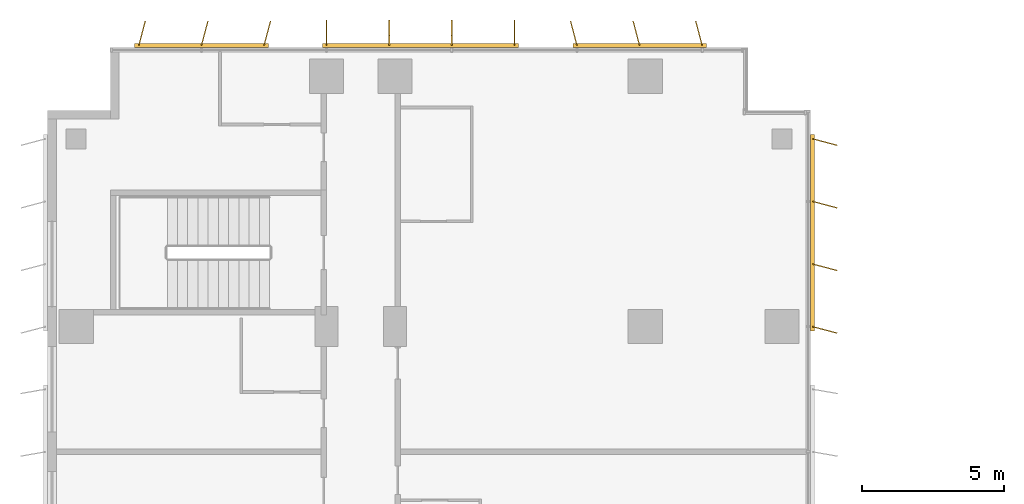
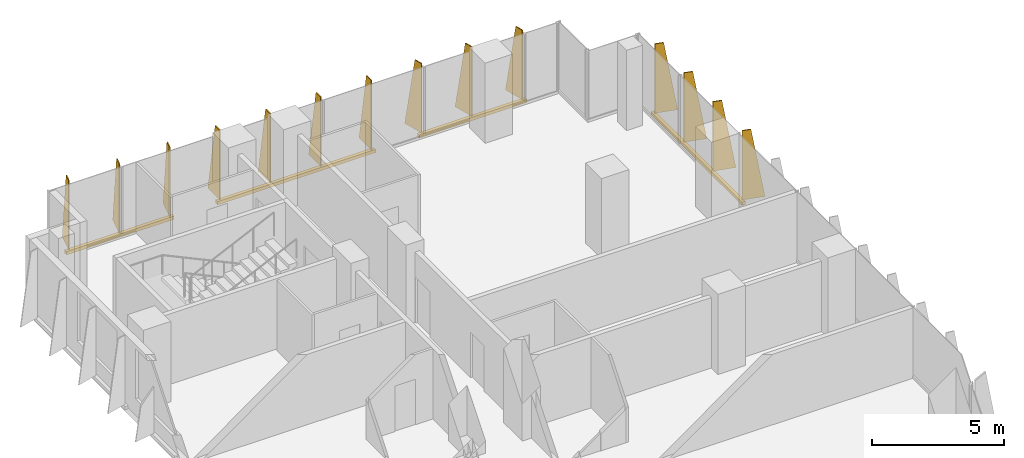
# One storey, part 22 of 22: 4 shading devices.
"""IFC4 building model written with IfcOpenShell, lengths in metres."""

import ifcopenshell
import ifcopenshell.guid

model = None  # the IFC model being written
_history = None  # IfcOwnerHistory: only IFC2X3 demands one
_inside = {}  # id of a spatial element -> (the spatial element, [elements in it])
_under = {}  # id of a project, library or spatial element -> (it, [spatial elements below it])
_declared = {}  # id of a project -> (the project, [libraries it declares])
_typed = {}  # id of a type object -> (the type object, [elements of that type])
_made_of = {}  # id of a material, layer set ... -> (it, [elements and type objects made of it])


def new_model(schema):
    """Start an empty IFC model of exactly this schema.

    Asked for "IFC4X3", IfcOpenShell would pick the latest addendum, in which some entities
    have other attributes; the version numbers below select the first issue.
    IFC2X3 requires an IfcOwnerHistory on every rooted entity: one is made here for all.
    """
    global model, _history
    if schema == "IFC4X3":
        model = ifcopenshell.file(schema_version=(4, 3, 0, 0))
    else:
        model = ifcopenshell.file(schema=schema)
    _inside.clear()
    _under.clear()
    _declared.clear()
    _typed.clear()
    _made_of.clear()
    _history = None
    if model.schema == "IFC2X3":
        org = make("IfcOrganization", Name="unknown")
        user = make(
            "IfcPersonAndOrganization",
            ThePerson=make("IfcPerson", FamilyName="unknown"),
            TheOrganization=org,
        )
        app = make(
            "IfcApplication",
            ApplicationDeveloper=org,
            Version="unknown",
            ApplicationFullName="unknown",
            ApplicationIdentifier="unknown",
        )
        _history = make(
            "IfcOwnerHistory",
            OwningUser=user,
            OwningApplication=app,
            ChangeAction="ADDED",
            CreationDate=0,
        )
    return model


def make(cls, **values):
    """One entity of the class cls with the attributes given. An attribute that is None is left unset."""
    return model.create_entity(
        cls, **{name: value for name, value in values.items() if value is not None}
    )


def rooted(cls, **values):
    """An entity with a GlobalId (a new one), such as an element, a storey or a relation."""
    return make(cls, GlobalId=ifcopenshell.guid.new(), OwnerHistory=_history, **values)


def si_unit(unit_type, name, prefix=None):
    """IfcSIUnit, for example si_unit("LENGTHUNIT", "METRE", prefix="MILLI")."""
    return make("IfcSIUnit", UnitType=unit_type, Prefix=prefix, Name=name)


def assignment(units):
    """IfcUnitAssignment: the units of a project."""
    return None if units is None else make("IfcUnitAssignment", Units=units)


def point(xyz):
    """IfcCartesianPoint."""
    return None if xyz is None else make("IfcCartesianPoint", Coordinates=xyz)


def direction(xyz):
    """IfcDirection."""
    return None if xyz is None else make("IfcDirection", DirectionRatios=xyz)


def frame(location, z_axis=None, x_axis=None):
    """IfcAxis2Placement3D, a coordinate frame: its origin and axes. An axis left out is left unset."""
    return make(
        "IfcAxis2Placement3D",
        Location=point(location),
        Axis=direction(z_axis),
        RefDirection=direction(x_axis),
    )


def frame_2d(location, x_axis=None):
    """IfcAxis2Placement2D, a coordinate frame in the plane: its origin and x axis."""
    return make(
        "IfcAxis2Placement2D", Location=point(location), RefDirection=direction(x_axis)
    )


def origin():
    """The frame at (0, 0, 0) with its axes left unset."""
    return frame((0.0, 0.0, 0.0))


def origin_2d():
    """The frame at (0, 0) in the plane with its x axis left unset."""
    return frame_2d((0.0, 0.0))


def place(relative_to, where):
    """IfcLocalPlacement: puts the frame where relative to a parent placement (None: the world)."""
    return make(
        "IfcLocalPlacement", PlacementRelTo=relative_to, RelativePlacement=where
    )


def context(
    kind, dimensions, precision=None, world=None, true_north=None, identifier=None
):
    """IfcGeometricRepresentationContext, for example the 3D "Model" context."""
    return make(
        "IfcGeometricRepresentationContext",
        ContextIdentifier=identifier,
        ContextType=kind,
        CoordinateSpaceDimension=dimensions,
        Precision=precision,
        WorldCoordinateSystem=world,
        TrueNorth=true_north,
    )


def subcontext(parent, identifier, kind, view, scale=None):
    """IfcGeometricRepresentationSubContext, for example "Body" below "Model"."""
    return make(
        "IfcGeometricRepresentationSubContext",
        ContextIdentifier=identifier,
        ContextType=kind,
        ParentContext=parent,
        TargetScale=scale,
        TargetView=view,
    )


def project(units=None, contexts=None):
    """IfcProject with its units and contexts."""
    return rooted(
        "IfcProject",
        Name="project",
        RepresentationContexts=contexts,
        UnitsInContext=assignment(units),
    )


def spatial(cls, under=None, at=None, **own):
    """A site, building, storey or space (cls), placed at a placement, below another one or the project."""
    s = rooted(cls, ObjectPlacement=at, **own)
    if under is not None:
        _under.setdefault(under.id(), (under, []))[1].append(s)
    return s


def polyline(points):
    """IfcPolyline through the points."""
    return make("IfcPolyline", Points=[point(p) for p in points])


def profile(cls, at=None, kind="AREA", **sizes):
    """A parametric profile (cls). Its sizes go by their IFC names, for example OverallWidth=200.0."""
    return make(cls, ProfileType=kind, Position=at, **sizes)


def rectangle(**sizes):
    """IfcRectangleProfileDef."""
    return profile("IfcRectangleProfileDef", **sizes)


def outline(outer, holes=None, kind="AREA"):
    """IfcArbitraryClosedProfileDef: a profile drawn as a closed curve; with holes, ...WithVoids."""
    if holes is None:
        return make("IfcArbitraryClosedProfileDef", ProfileType=kind, OuterCurve=outer)
    return make(
        "IfcArbitraryProfileDefWithVoids",
        ProfileType=kind,
        OuterCurve=outer,
        InnerCurves=holes,
    )


def extrude(swept, where, along, depth):
    """IfcExtrudedAreaSolid: the profile swept, set in the frame where, extruded along a direction by depth."""
    return make(
        "IfcExtrudedAreaSolid",
        SweptArea=swept,
        Position=where,
        ExtrudedDirection=direction(along),
        Depth=depth,
    )


def shape(context_of_items, identifier, shape_type, items):
    """IfcShapeRepresentation: the items that make up one representation, for example the "Body"."""
    return make(
        "IfcShapeRepresentation",
        ContextOfItems=context_of_items,
        RepresentationIdentifier=identifier,
        RepresentationType=shape_type,
        Items=items,
    )


def source(mapping_origin, context_of_items, identifier, shape_type, items):
    """IfcRepresentationMap: a shape defined once, which mapped items show again and again."""
    return make(
        "IfcRepresentationMap",
        MappingOrigin=mapping_origin,
        MappedRepresentation=shape(context_of_items, identifier, shape_type, items),
    )


def transform(
    local_origin,
    x_axis=None,
    y_axis=None,
    z_axis=None,
    scale=None,
    scale2=None,
    scale3=None,
    uniform=True,
):
    """IfcCartesianTransformationOperator3D, or its non-uniform kind. x_axis, y_axis, z_axis: its Axis1, 2, 3."""
    if uniform:
        return make(
            "IfcCartesianTransformationOperator3D",
            Axis1=direction(x_axis),
            Axis2=direction(y_axis),
            LocalOrigin=point(local_origin),
            Scale=scale,
            Axis3=direction(z_axis),
        )
    return make(
        "IfcCartesianTransformationOperator3DnonUniform",
        Axis1=direction(x_axis),
        Axis2=direction(y_axis),
        LocalOrigin=point(local_origin),
        Scale=scale,
        Axis3=direction(z_axis),
        Scale2=scale2,
        Scale3=scale3,
    )


def mapped(mapping_source, mapping_target):
    """IfcMappedItem: shows the shape of a source again, moved by a transform."""
    return make(
        "IfcMappedItem", MappingSource=mapping_source, MappingTarget=mapping_target
    )


def material(Name=None, Category=None):
    """IfcMaterial."""
    return make("IfcMaterial", Name=Name, Category=Category)


def layer(
    of_material, thickness, ventilated=None, Name=None, Category=None, Priority=None
):
    """IfcMaterialLayer: one layer of a wall or slab, of a material (None: an air gap)."""
    return make(
        "IfcMaterialLayer",
        Material=of_material,
        LayerThickness=thickness,
        IsVentilated=ventilated,
        Name=Name,
        Category=Category,
        Priority=Priority,
    )


def layer_set(layers, Name=None):
    """IfcMaterialLayerSet."""
    return make("IfcMaterialLayerSet", MaterialLayers=layers, LayerSetName=Name)


def made_of(thing, what):
    """Note that an element or type object is made of a material, layer set ...; save() writes the relation."""
    if what is not None:
        _made_of.setdefault(what.id(), (what, []))[1].append(thing)
    return thing


def type_object(cls, material=None, **own):
    """A type object (cls), such as IfcWallType, which elements share."""
    return made_of(rooted(cls, **own), material)


def element(
    cls,
    number,
    at=None,
    inside=None,
    cuts=None,
    type_object=None,
    material=None,
    context=None,
    identifier="Body",
    shape_type=None,
    held_by="IfcProductDefinitionShape",
    body=None,
    shapes=None,
    **own,
):
    """One element of the class cls, such as IfcWall. Its Tag is "e" and its number.

    at: its placement. inside: the storey or other place that contains it. cuts: it is an
    opening in that element (IfcRelVoidsElement). A single representation is given by context,
    identifier, shape_type and body (its items); several are given by shapes. held_by: the class
    of the entity that holds the representations. save() writes the other relations.
    """
    e = rooted(cls, Tag="e%d" % number, ObjectPlacement=at, **own)
    if body is not None:
        shapes = [shape(context, identifier, shape_type, body)]
    if shapes is not None:
        e.Representation = make(held_by, Representations=shapes)
    if inside is not None:
        _inside.setdefault(inside.id(), (inside, []))[1].append(e)
    if cuts is not None:
        rooted(
            "IfcRelVoidsElement", RelatingBuildingElement=cuts, RelatedOpeningElement=e
        )
    if type_object is not None:
        _typed.setdefault(type_object.id(), (type_object, []))[1].append(e)
    return made_of(e, material)


def aggregate(whole, parts):
    """IfcRelAggregates: a whole, such as a stair, and the parts it consists of."""
    return rooted("IfcRelAggregates", RelatingObject=whole, RelatedObjects=parts)


def save(model, path):
    """Write the relations noted so far, then the file.

    IfcRelAggregates (storeys below a building ...), IfcRelContainedInSpatialStructure (elements
    in a storey), IfcRelDefinesByType, IfcRelAssociatesMaterial and IfcRelDeclares: one each for
    every whole, place, type object, material and project.
    """
    for whole, parts in _under.values():
        aggregate(whole, parts)
    for where, things in _inside.values():
        rooted(
            "IfcRelContainedInSpatialStructure",
            RelatedElements=things,
            RelatingStructure=where,
        )
    for kind, things in _typed.values():
        rooted("IfcRelDefinesByType", RelatedObjects=things, RelatingType=kind)
    for what, things in _made_of.values():
        rooted("IfcRelAssociatesMaterial", RelatedObjects=things, RelatingMaterial=what)
    for by, libraries in _declared.values():
        rooted("IfcRelDeclares", RelatingContext=by, RelatedDefinitions=libraries)
    model.write(path)


model = new_model("IFC4")

# Units and contexts
model_context = context("Model", 3, precision=1e-05, world=origin(), true_north=direction((0.0, 1.0)))
body_context = subcontext(model_context, "Body", "Model", "MODEL_VIEW")
ifc_project = project(units=[si_unit("LENGTHUNIT", "METRE"), si_unit("AREAUNIT", "SQUARE_METRE"), si_unit("VOLUMEUNIT", "CUBIC_METRE"), si_unit("PLANEANGLEUNIT", "RADIAN"), si_unit("MASSUNIT", "GRAM", prefix="KILO")], contexts=[model_context])

# Site, building, storey
site_placement = place(None, origin())
site = spatial("IfcSite", under=ifc_project, at=site_placement, CompositionType="ELEMENT")
building_placement = place(site_placement, origin())
building = spatial("IfcBuilding", under=site, at=building_placement, Name="Kemantara Hotel Tower", CompositionType="ELEMENT")
storey_placement = place(building_placement, frame((0.0, 0.0, 129.60009765625)))
storey = spatial("IfcBuildingStorey", under=building, at=storey_placement, Name="L31", CompositionType="ELEMENT", Elevation=129.60009765625)

# Shading devices
ifc_material = material(Name="Perforated aluminium plate 4 mm bronze anodised", Category="aluminium")
ifc_layer_1 = layer(ifc_material, 0.0400390625)
ifc_layer_set_1 = layer_set([ifc_layer_1], Name="Perforated aluminium plate 4 mm bronze anodised")
shading_device_type_1 = type_object("IfcShadingDeviceType", Name="SCREEN FIN CASSETTE, 3 BLADES AT -15.0 DEG, 3200 HIGH", PredefinedType="USERDEFINED", material=ifc_layer_set_1)
shared_shape_1 = source(origin(), body_context, "Body", "SweptSolid", [
    extrude(rectangle(XDim=4.699951171875, YDim=0.14990234375, at=origin_2d()), frame((2.199951171875, -0.074951171875, -0.14990234375), z_axis=(0.0, 0.0, 1.0), x_axis=(1.0, 0.0, 0.0)), (0.0, 0.0, 1.0), 0.14990234375),
    extrude(outline(polyline([(0.0, 0.0), (0.89990234375, 0.0), (0.35009765625, 3.199951171875), (0.0, 3.199951171875), (0.0, 0.0)])), frame((0.019287109375, -0.080078125, 0.0), z_axis=(-0.966437683387, 0.256901156343, 0.0), x_axis=(-0.256901156343, -0.966437683387, 0.0)), (0.0, 0.0, 1.0), 0.039794921875),
    extrude(outline(polyline([(0.0, 0.0), (0.89990234375, 0.0), (0.35009765625, 3.199951171875), (0.0, 3.199951171875), (0.0, 0.0)])), frame((2.21923828125, -0.080078125, 0.0), z_axis=(-0.966437683387, 0.256901156343, 0.0), x_axis=(-0.256901156343, -0.966437683387, 0.0)), (0.0, 0.0, 1.0), 0.039794921875),
    extrude(outline(polyline([(0.0, 0.0), (0.89990234375, 0.0), (0.35009765625, 3.199951171875), (0.0, 3.199951171875), (0.0, 0.0)])), frame((4.41943359375, -0.080078125, 0.0), z_axis=(-0.966837822169, 0.255391122837, 0.0), x_axis=(-0.255391122837, -0.966837822169, 0.0)), (0.0, 0.0, 1.0), 0.0400390625),
])
shading_device_1_placement = place(storey_placement, frame((7.60009765625, 81.199951171875, 0.099853515625), z_axis=(0.0, 0.0, 1.0), x_axis=(-1.0, 0.0, 0.0)))
element("IfcShadingDevice", 1, at=shading_device_1_placement, inside=storey, type_object=shading_device_type_1, Name="SCREEN FIN CASSETTE L31 T2-R01-3", ObjectType="SCREEN FIN", PredefinedType="USERDEFINED", context=body_context, shape_type="MappedRepresentation", body=[
    mapped(shared_shape_1, transform((0.0, 0.0, 0.0))),
])
ifc_layer_2 = layer(ifc_material, 0.0400390625)
ifc_layer_set_2 = layer_set([ifc_layer_2], Name="Perforated aluminium plate 4 mm bronze anodised")
shading_device_type_2 = type_object("IfcShadingDeviceType", Name="SCREEN FIN CASSETTE, 4 BLADES AT +0.0 DEG, 3200 HIGH", PredefinedType="USERDEFINED", material=ifc_layer_set_2)
shared_shape_2 = source(origin(), body_context, "Body", "SweptSolid", [
    extrude(rectangle(XDim=6.89990234375, YDim=0.14990234375, at=origin_2d()), frame((3.300048828125, -0.074951171875, -0.14990234375), z_axis=(0.0, 0.0, 1.0), x_axis=(1.0, 0.0, 0.0)), (0.0, 0.0, 1.0), 0.14990234375),
    extrude(outline(polyline([(0.0, 0.0), (0.89990234375, 0.0), (0.35009765625, 3.199951171875), (0.0, 3.199951171875), (0.0, 0.0)])), frame((0.02001953125, -0.074951171875, 0.0), z_axis=(-1.0, 0.0, 0.0), x_axis=(0.0, -1.0, 0.0)), (0.0, 0.0, 1.0), 0.0400390625),
    extrude(outline(polyline([(0.0, 0.0), (0.89990234375, 0.0), (0.35009765625, 3.199951171875), (0.0, 3.199951171875), (0.0, 0.0)])), frame((2.219970703125, -0.074951171875, 0.0), z_axis=(-1.0, 0.0, 0.0), x_axis=(0.0, -1.0, 0.0)), (0.0, 0.0, 1.0), 0.0400390625),
    extrude(outline(polyline([(0.0, 0.0), (0.89990234375, 0.0), (0.35009765625, 3.199951171875), (0.0, 3.199951171875), (0.0, 0.0)])), frame((4.419921875, -0.074951171875, 0.0), z_axis=(-1.0, 0.0, 0.0), x_axis=(0.0, -1.0, 0.0)), (0.0, 0.0, 1.0), 0.0400390625),
    extrude(outline(polyline([(0.0, 0.0), (0.89990234375, 0.0), (0.35009765625, 3.199951171875), (0.0, 3.199951171875), (0.0, 0.0)])), frame((6.6201171875, -0.074951171875, 0.0), z_axis=(-1.0, 0.0, 0.0), x_axis=(0.0, -1.0, 0.0)), (0.0, 0.0, 1.0), 0.0400390625),
])
shading_device_2_placement = place(storey_placement, frame((16.39990234375, 81.199951171875, 0.099853515625), z_axis=(0.0, 0.0, 1.0), x_axis=(-1.0, 0.0, 0.0)))
element("IfcShadingDevice", 2, at=shading_device_2_placement, inside=storey, type_object=shading_device_type_2, Name="SCREEN FIN CASSETTE L31 T2-R01-2", ObjectType="SCREEN FIN", PredefinedType="USERDEFINED", context=body_context, shape_type="MappedRepresentation", body=[
    mapped(shared_shape_2, transform((0.0, 0.0, 0.0))),
])
ifc_layer_3 = layer(ifc_material, 0.0400390625)
ifc_layer_set_3 = layer_set([ifc_layer_3], Name="Perforated aluminium plate 4 mm bronze anodised")
shading_device_type_3 = type_object("IfcShadingDeviceType", Name="SCREEN FIN CASSETTE, 3 BLADES AT +15.0 DEG, 3200 HIGH", PredefinedType="USERDEFINED", material=ifc_layer_set_3)
shared_shape_3 = source(origin(), body_context, "Body", "SweptSolid", [
    extrude(rectangle(XDim=4.699951171875, YDim=0.14990234375, at=origin_2d()), frame((2.199951171875, -0.074951171875, -0.14990234375), z_axis=(0.0, 0.0, 1.0), x_axis=(1.0, 0.0, 0.0)), (0.0, 0.0, 1.0), 0.14990234375),
    extrude(outline(polyline([(0.0, 0.0), (0.89990234375, 0.0), (0.35009765625, 3.199951171875), (0.0, 3.199951171875), (0.0, 0.0)])), frame((0.019287109375, -0.06982421875, 0.0), z_axis=(-0.966437683387, -0.256901156343, 0.0), x_axis=(0.256901156343, -0.966437683387, 0.0)), (0.0, 0.0, 1.0), 0.039794921875),
    extrude(outline(polyline([(0.0, 0.0), (0.89990234375, 0.0), (0.35009765625, 3.199951171875), (0.0, 3.199951171875), (0.0, 0.0)])), frame((2.21923828125, -0.06982421875, 0.0), z_axis=(-0.966437683387, -0.256901156343, 0.0), x_axis=(0.256901156343, -0.966437683387, 0.0)), (0.0, 0.0, 1.0), 0.039794921875),
    extrude(outline(polyline([(0.0, 0.0), (0.89990234375, 0.0), (0.35009765625, 3.199951171875), (0.0, 3.199951171875), (0.0, 0.0)])), frame((4.41943359375, -0.06982421875, 0.0), z_axis=(-0.966837822169, -0.255391122837, 0.0), x_axis=(0.255391122837, -0.966837822169, 0.0)), (0.0, 0.0, 1.0), 0.0400390625),
])
shading_device_3_placement = place(storey_placement, frame((23.0, 81.199951171875, 0.099853515625), z_axis=(0.0, 0.0, 1.0), x_axis=(-1.0, 0.0, 0.0)))
element("IfcShadingDevice", 3, at=shading_device_3_placement, inside=storey, type_object=shading_device_type_3, Name="SCREEN FIN CASSETTE L31 T2-R01-1", ObjectType="SCREEN FIN", PredefinedType="USERDEFINED", context=body_context, shape_type="MappedRepresentation", body=[
    mapped(shared_shape_3, transform((0.0, 0.0, 0.0))),
])
ifc_layer_4 = layer(ifc_material, 0.0400390625)
ifc_layer_set_4 = layer_set([ifc_layer_4], Name="Perforated aluminium plate 4 mm bronze anodised")
shading_device_type_4 = type_object("IfcShadingDeviceType", Name="SCREEN FIN CASSETTE, 4 BLADES AT -15.0 DEG, 3200 HIGH", PredefinedType="USERDEFINED", material=ifc_layer_set_4)
shared_shape_4 = source(origin(), body_context, "Body", "SweptSolid", [
    extrude(rectangle(XDim=6.89990234375, YDim=0.14990234375, at=origin_2d()), frame((3.300048828125, -0.074951171875, -0.14990234375), z_axis=(0.0, 0.0, 1.0), x_axis=(1.0, 0.0, 0.0)), (0.0, 0.0, 1.0), 0.14990234375),
    extrude(outline(polyline([(0.0, 0.0), (0.89990234375, 0.0), (0.35009765625, 3.199951171875), (0.0, 3.199951171875), (0.0, 0.0)])), frame((0.019287109375, -0.080078125, 0.0), z_axis=(-0.966437683387, 0.256901156343, 0.0), x_axis=(-0.256901156343, -0.966437683387, 0.0)), (0.0, 0.0, 1.0), 0.039794921875),
    extrude(outline(polyline([(0.0, 0.0), (0.89990234375, 0.0), (0.35009765625, 3.199951171875), (0.0, 3.199951171875), (0.0, 0.0)])), frame((2.21923828125, -0.080078125, 0.0), z_axis=(-0.966437683387, 0.256901156343, 0.0), x_axis=(-0.256901156343, -0.966437683387, 0.0)), (0.0, 0.0, 1.0), 0.039794921875),
    extrude(outline(polyline([(0.0, 0.0), (0.89990234375, 0.0), (0.35009765625, 3.199951171875), (0.0, 3.199951171875), (0.0, 0.0)])), frame((4.41943359375, -0.080078125, 0.0), z_axis=(-0.966837822169, 0.255391122837, 0.0), x_axis=(-0.255391122837, -0.966837822169, 0.0)), (0.0, 0.0, 1.0), 0.0400390625),
    extrude(outline(polyline([(0.0, 0.0), (0.89990234375, 0.0), (0.35009765625, 3.199951171875), (0.0, 3.199951171875), (0.0, 0.0)])), frame((6.619384765625, -0.080078125, 0.0), z_axis=(-0.966837822169, 0.255391122837, 0.0), x_axis=(-0.255391122837, -0.966837822169, 0.0)), (0.0, 0.0, 1.0), 0.0400390625),
])
shading_device_4_placement = place(storey_placement, frame((26.800048828125, 71.39990234375, 0.099853515625), z_axis=(0.0, 0.0, 1.0), x_axis=(0.0, 1.0, 0.0)))
element("IfcShadingDevice", 4, at=shading_device_4_placement, inside=storey, type_object=shading_device_type_4, Name="SCREEN FIN CASSETTE L31 T2-R14-7", ObjectType="SCREEN FIN", PredefinedType="USERDEFINED", context=body_context, shape_type="MappedRepresentation", body=[
    mapped(shared_shape_4, transform((0.0, 0.0, 0.0))),
])

save(model, "model.ifc")
